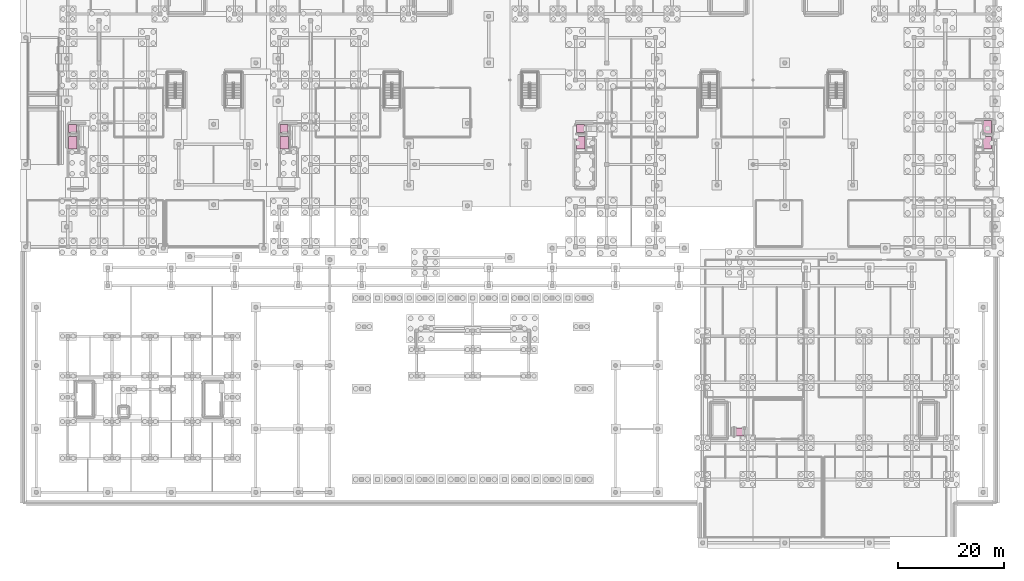
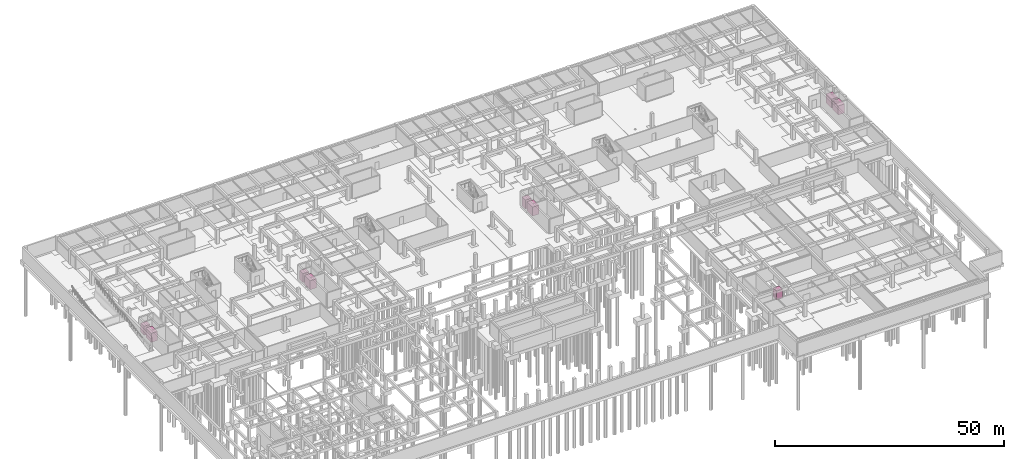
# One storey, part 35 of 35: 9 transport elements.
"""IFC4 building model written with IfcOpenShell, lengths in metres."""

from ifc_helpers import new_model, si_unit, direction, frame, origin, origin_2d, place, context, subcontext, project, spatial, rectangle, extrude, material, type_object, element, save


model = new_model("IFC4")

# Units and contexts
model_context = context("Model", 3, precision=1e-05, world=origin(), true_north=direction((0.0, 1.0)))
body_context = subcontext(model_context, "Body", "Model", "MODEL_VIEW")
ifc_project = project(units=[si_unit("LENGTHUNIT", "METRE"), si_unit("AREAUNIT", "SQUARE_METRE"), si_unit("VOLUMEUNIT", "CUBIC_METRE"), si_unit("PLANEANGLEUNIT", "RADIAN"), si_unit("MASSUNIT", "GRAM", prefix="KILO")], contexts=[model_context])

# Site, building, storey
site_placement = place(None, origin())
site = spatial("IfcSite", under=ifc_project, at=site_placement, CompositionType="ELEMENT")
building_placement = place(site_placement, origin())
building = spatial("IfcBuilding", under=site, at=building_placement, Name="Keldmere Railside Commons", CompositionType="ELEMENT")
storey_placement = place(building_placement, frame((0.0, 0.0, -3.840087890625)))
storey = spatial("IfcBuildingStorey", under=building, at=storey_placement, Name="B1", CompositionType="ELEMENT", Elevation=-3.840087890625)

# Transport elements
ifc_material = material(Name="Steel F-24 (S235)", Category="steel")
transport_element_type_1 = type_object("IfcTransportElementType", Name="Accessible Passenger Lift Car 1500x1500", PredefinedType="ELEVATOR", material=ifc_material)
for number, where, z_axis, x_axis, name in (
    (1, (9.35009765625, 78.77490234375, 0.000244140625), (0.0, 0.0, 1.0), (1.0, 0.0, 0.0), "Lift PL-D2"),
    (2, (49.35009765625, 78.77490234375, 0.000244140625), (0.0, 0.0, 1.0), (1.0, 0.0, 0.0), "Lift PL-C2"),
    (3, (105.35009765625, 78.77490234375, 0.000244140625), (0.0, 0.0, 1.0), (1.0, 0.0, 0.0), "Lift PL-B2"),
    (4, (135.39990234375, 21.39990234375, 0.000244140625), (0.0, 0.0, 1.0), (1.0, 0.0, 0.0), "Lift PL-M1"),
):
    element("IfcTransportElement", number, at=place(storey_placement, frame(where, z_axis=z_axis, x_axis=x_axis)), inside=storey, type_object=transport_element_type_1, Name=name, PredefinedType="ELEVATOR", context=body_context, shape_type="SweptSolid", body=[
        extrude(rectangle(XDim=1.5, YDim=1.5, at=origin_2d()), origin(), (0.0, 0.0, 1.0), 2.39990234375),
    ])
transport_element_type_2 = type_object("IfcTransportElementType", Name="Firefighting & Stretcher Lift Car 1600x2400", PredefinedType="ELEVATOR", material=ifc_material)
for number, where, z_axis, x_axis, name in (
    (5, (9.39990234375, 76.10009765625, 0.000244140625), (0.0, 0.0, 1.0), (1.0, 0.0, 0.0), "Lift FFL-D1"),
    (6, (49.39990234375, 76.10009765625, 0.000244140625), (0.0, 0.0, 1.0), (1.0, 0.0, 0.0), "Lift FFL-C1"),
    (7, (105.39990234375, 76.10009765625, 0.000244140625), (0.0, 0.0, 1.0), (1.0, 0.0, 0.0), "Lift FFL-B1"),
    (8, (182.300048828125, 76.10009765625, 0.000244140625), (0.0, 0.0, 1.0), (1.0, 0.0, 0.0), "Lift FFL-A1"),
    (9, (182.300048828125, 79.074951171875, 0.000244140625), (0.0, 0.0, 1.0), (1.0, 0.0, 0.0), "Lift FFL-A2"),
):
    element("IfcTransportElement", number, at=place(storey_placement, frame(where, z_axis=z_axis, x_axis=x_axis)), inside=storey, type_object=transport_element_type_2, Name=name, PredefinedType="ELEVATOR", context=body_context, shape_type="SweptSolid", body=[
        extrude(rectangle(XDim=1.60009765625, YDim=2.39990234375, at=origin_2d()), origin(), (0.0, 0.0, 1.0), 2.39990234375),
    ])

save(model, "model.ifc")
